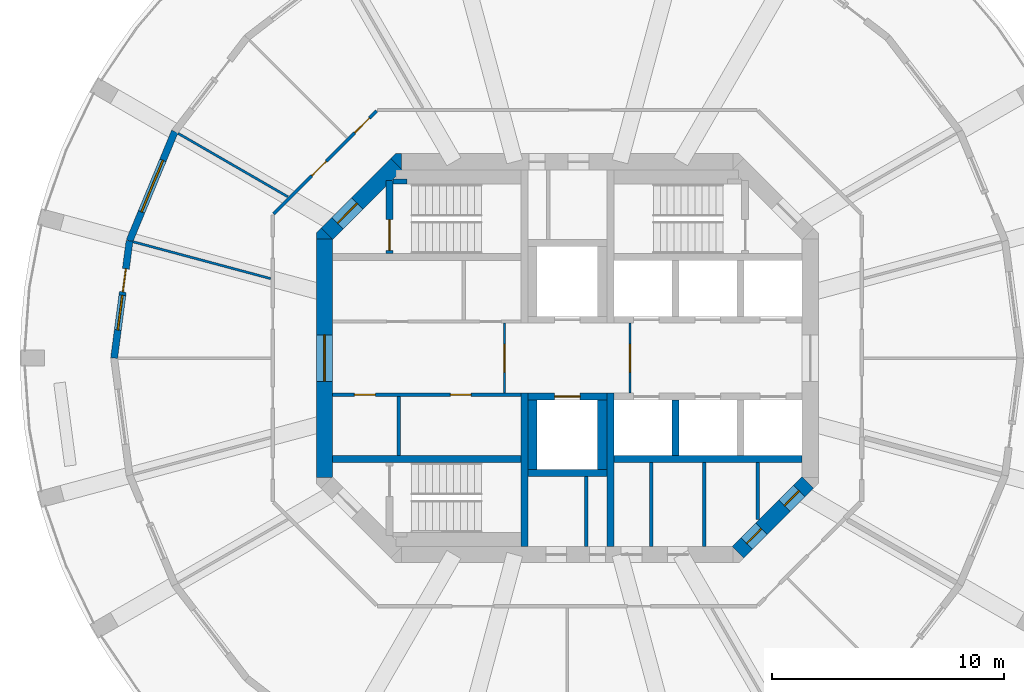
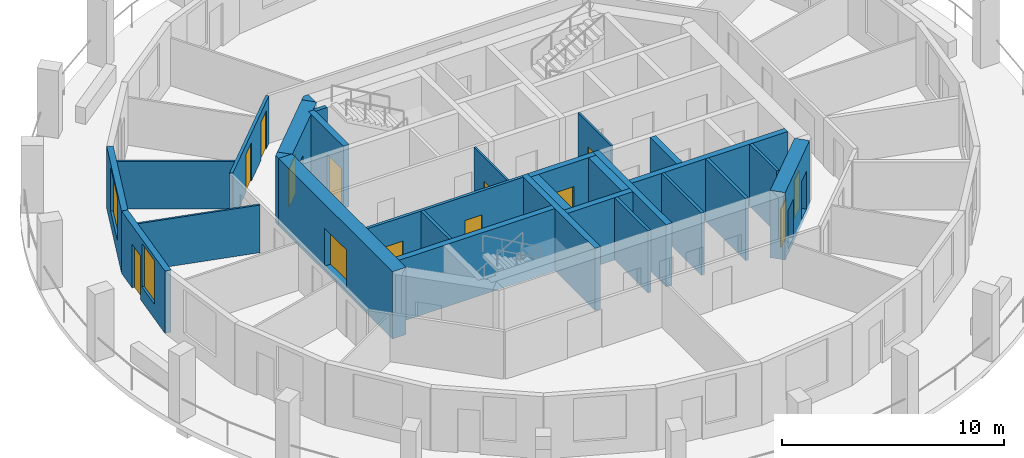
# One storey, part 3 of 8: 29 walls, 13 doors, 2 windows, 15 openings.
"""IFC4 building model written with IfcOpenShell, lengths in metres."""

import ifcopenshell
import ifcopenshell.guid

model = None  # the IFC model being written
_history = None  # IfcOwnerHistory: only IFC2X3 demands one
_inside = {}  # id of a spatial element -> (the spatial element, [elements in it])
_under = {}  # id of a project, library or spatial element -> (it, [spatial elements below it])
_declared = {}  # id of a project -> (the project, [libraries it declares])
_typed = {}  # id of a type object -> (the type object, [elements of that type])
_made_of = {}  # id of a material, layer set ... -> (it, [elements and type objects made of it])


def new_model(schema):
    """Start an empty IFC model of exactly this schema.

    Asked for "IFC4X3", IfcOpenShell would pick the latest addendum, in which some entities
    have other attributes; the version numbers below select the first issue.
    IFC2X3 requires an IfcOwnerHistory on every rooted entity: one is made here for all.
    """
    global model, _history
    if schema == "IFC4X3":
        model = ifcopenshell.file(schema_version=(4, 3, 0, 0))
    else:
        model = ifcopenshell.file(schema=schema)
    _inside.clear()
    _under.clear()
    _declared.clear()
    _typed.clear()
    _made_of.clear()
    _history = None
    if model.schema == "IFC2X3":
        org = make("IfcOrganization", Name="unknown")
        user = make(
            "IfcPersonAndOrganization",
            ThePerson=make("IfcPerson", FamilyName="unknown"),
            TheOrganization=org,
        )
        app = make(
            "IfcApplication",
            ApplicationDeveloper=org,
            Version="unknown",
            ApplicationFullName="unknown",
            ApplicationIdentifier="unknown",
        )
        _history = make(
            "IfcOwnerHistory",
            OwningUser=user,
            OwningApplication=app,
            ChangeAction="ADDED",
            CreationDate=0,
        )
    return model


def make(cls, **values):
    """One entity of the class cls with the attributes given. An attribute that is None is left unset."""
    return model.create_entity(
        cls, **{name: value for name, value in values.items() if value is not None}
    )


def rooted(cls, **values):
    """An entity with a GlobalId (a new one), such as an element, a storey or a relation."""
    return make(cls, GlobalId=ifcopenshell.guid.new(), OwnerHistory=_history, **values)


def si_unit(unit_type, name, prefix=None):
    """IfcSIUnit, for example si_unit("LENGTHUNIT", "METRE", prefix="MILLI")."""
    return make("IfcSIUnit", UnitType=unit_type, Prefix=prefix, Name=name)


def assignment(units):
    """IfcUnitAssignment: the units of a project."""
    return None if units is None else make("IfcUnitAssignment", Units=units)


def point(xyz):
    """IfcCartesianPoint."""
    return None if xyz is None else make("IfcCartesianPoint", Coordinates=xyz)


def direction(xyz):
    """IfcDirection."""
    return None if xyz is None else make("IfcDirection", DirectionRatios=xyz)


def frame(location, z_axis=None, x_axis=None):
    """IfcAxis2Placement3D, a coordinate frame: its origin and axes. An axis left out is left unset."""
    return make(
        "IfcAxis2Placement3D",
        Location=point(location),
        Axis=direction(z_axis),
        RefDirection=direction(x_axis),
    )


def frame_2d(location, x_axis=None):
    """IfcAxis2Placement2D, a coordinate frame in the plane: its origin and x axis."""
    return make(
        "IfcAxis2Placement2D", Location=point(location), RefDirection=direction(x_axis)
    )


def origin():
    """The frame at (0, 0, 0) with its axes left unset."""
    return frame((0.0, 0.0, 0.0))


def place(relative_to, where):
    """IfcLocalPlacement: puts the frame where relative to a parent placement (None: the world)."""
    return make(
        "IfcLocalPlacement", PlacementRelTo=relative_to, RelativePlacement=where
    )


def context(
    kind, dimensions, precision=None, world=None, true_north=None, identifier=None
):
    """IfcGeometricRepresentationContext, for example the 3D "Model" context."""
    return make(
        "IfcGeometricRepresentationContext",
        ContextIdentifier=identifier,
        ContextType=kind,
        CoordinateSpaceDimension=dimensions,
        Precision=precision,
        WorldCoordinateSystem=world,
        TrueNorth=true_north,
    )


def subcontext(parent, identifier, kind, view, scale=None):
    """IfcGeometricRepresentationSubContext, for example "Body" below "Model"."""
    return make(
        "IfcGeometricRepresentationSubContext",
        ContextIdentifier=identifier,
        ContextType=kind,
        ParentContext=parent,
        TargetScale=scale,
        TargetView=view,
    )


def project(units=None, contexts=None):
    """IfcProject with its units and contexts."""
    return rooted(
        "IfcProject",
        Name="project",
        RepresentationContexts=contexts,
        UnitsInContext=assignment(units),
    )


def spatial(cls, under=None, at=None, **own):
    """A site, building, storey or space (cls), placed at a placement, below another one or the project."""
    s = rooted(cls, ObjectPlacement=at, **own)
    if under is not None:
        _under.setdefault(under.id(), (under, []))[1].append(s)
    return s


def polyline(points):
    """IfcPolyline through the points."""
    return make("IfcPolyline", Points=[point(p) for p in points])


def profile(cls, at=None, kind="AREA", **sizes):
    """A parametric profile (cls). Its sizes go by their IFC names, for example OverallWidth=200.0."""
    return make(cls, ProfileType=kind, Position=at, **sizes)


def rectangle(**sizes):
    """IfcRectangleProfileDef."""
    return profile("IfcRectangleProfileDef", **sizes)


def outline(outer, holes=None, kind="AREA"):
    """IfcArbitraryClosedProfileDef: a profile drawn as a closed curve; with holes, ...WithVoids."""
    if holes is None:
        return make("IfcArbitraryClosedProfileDef", ProfileType=kind, OuterCurve=outer)
    return make(
        "IfcArbitraryProfileDefWithVoids",
        ProfileType=kind,
        OuterCurve=outer,
        InnerCurves=holes,
    )


def extrude(swept, where, along, depth):
    """IfcExtrudedAreaSolid: the profile swept, set in the frame where, extruded along a direction by depth."""
    return make(
        "IfcExtrudedAreaSolid",
        SweptArea=swept,
        Position=where,
        ExtrudedDirection=direction(along),
        Depth=depth,
    )


def shape(context_of_items, identifier, shape_type, items):
    """IfcShapeRepresentation: the items that make up one representation, for example the "Body"."""
    return make(
        "IfcShapeRepresentation",
        ContextOfItems=context_of_items,
        RepresentationIdentifier=identifier,
        RepresentationType=shape_type,
        Items=items,
    )


def material(Name=None, Category=None):
    """IfcMaterial."""
    return make("IfcMaterial", Name=Name, Category=Category)


def layer(
    of_material, thickness, ventilated=None, Name=None, Category=None, Priority=None
):
    """IfcMaterialLayer: one layer of a wall or slab, of a material (None: an air gap)."""
    return make(
        "IfcMaterialLayer",
        Material=of_material,
        LayerThickness=thickness,
        IsVentilated=ventilated,
        Name=Name,
        Category=Category,
        Priority=Priority,
    )


def layer_set(layers, Name=None):
    """IfcMaterialLayerSet."""
    return make("IfcMaterialLayerSet", MaterialLayers=layers, LayerSetName=Name)


def made_of(thing, what):
    """Note that an element or type object is made of a material, layer set ...; save() writes the relation."""
    if what is not None:
        _made_of.setdefault(what.id(), (what, []))[1].append(thing)
    return thing


def type_object(cls, material=None, **own):
    """A type object (cls), such as IfcWallType, which elements share."""
    return made_of(rooted(cls, **own), material)


def element(
    cls,
    number,
    at=None,
    inside=None,
    cuts=None,
    type_object=None,
    material=None,
    context=None,
    identifier="Body",
    shape_type=None,
    held_by="IfcProductDefinitionShape",
    body=None,
    shapes=None,
    **own,
):
    """One element of the class cls, such as IfcWall. Its Tag is "e" and its number.

    at: its placement. inside: the storey or other place that contains it. cuts: it is an
    opening in that element (IfcRelVoidsElement). A single representation is given by context,
    identifier, shape_type and body (its items); several are given by shapes. held_by: the class
    of the entity that holds the representations. save() writes the other relations.
    """
    e = rooted(cls, Tag="e%d" % number, ObjectPlacement=at, **own)
    if body is not None:
        shapes = [shape(context, identifier, shape_type, body)]
    if shapes is not None:
        e.Representation = make(held_by, Representations=shapes)
    if inside is not None:
        _inside.setdefault(inside.id(), (inside, []))[1].append(e)
    if cuts is not None:
        rooted(
            "IfcRelVoidsElement", RelatingBuildingElement=cuts, RelatedOpeningElement=e
        )
    if type_object is not None:
        _typed.setdefault(type_object.id(), (type_object, []))[1].append(e)
    return made_of(e, material)


def fill(opening, filler):
    """IfcRelFillsElement: the door or window that sits in an opening."""
    return rooted(
        "IfcRelFillsElement",
        RelatingOpeningElement=opening,
        RelatedBuildingElement=filler,
    )


def aggregate(whole, parts):
    """IfcRelAggregates: a whole, such as a stair, and the parts it consists of."""
    return rooted("IfcRelAggregates", RelatingObject=whole, RelatedObjects=parts)


def save(model, path):
    """Write the relations noted so far, then the file.

    IfcRelAggregates (storeys below a building ...), IfcRelContainedInSpatialStructure (elements
    in a storey), IfcRelDefinesByType, IfcRelAssociatesMaterial and IfcRelDeclares: one each for
    every whole, place, type object, material and project.
    """
    for whole, parts in _under.values():
        aggregate(whole, parts)
    for where, things in _inside.values():
        rooted(
            "IfcRelContainedInSpatialStructure",
            RelatedElements=things,
            RelatingStructure=where,
        )
    for kind, things in _typed.values():
        rooted("IfcRelDefinesByType", RelatedObjects=things, RelatingType=kind)
    for what, things in _made_of.values():
        rooted("IfcRelAssociatesMaterial", RelatedObjects=things, RelatingMaterial=what)
    for by, libraries in _declared.values():
        rooted("IfcRelDeclares", RelatingContext=by, RelatedDefinitions=libraries)
    model.write(path)


model = new_model("IFC4")

# Units and contexts
model_context = context("Model", 3, precision=1e-05, world=origin(), true_north=direction((0.0, 1.0)))
body_context = subcontext(model_context, "Body", "Model", "MODEL_VIEW")
ifc_project = project(units=[si_unit("LENGTHUNIT", "METRE"), si_unit("AREAUNIT", "SQUARE_METRE"), si_unit("VOLUMEUNIT", "CUBIC_METRE"), si_unit("PLANEANGLEUNIT", "RADIAN"), si_unit("MASSUNIT", "GRAM", prefix="KILO")], contexts=[model_context])

# Site, building, storey
site_placement = place(None, origin())
site = spatial("IfcSite", under=ifc_project, at=site_placement, CompositionType="ELEMENT")
building_placement = place(site_placement, origin())
building = spatial("IfcBuilding", under=site, at=building_placement, Name="Torre Triforio", CompositionType="ELEMENT")
storey_placement = place(building_placement, frame((0.0, 0.0, 192.800048828125)))
storey = spatial("IfcBuildingStorey", under=building, at=storey_placement, Name="L43", CompositionType="ELEMENT", Elevation=192.800048828125)

# Walls
ifc_material_1 = material(Name="Concrete C50", Category="concrete")
ifc_layer_1 = layer(ifc_material_1, 0.300048828125)
ifc_layer_set_1 = layer_set([ifc_layer_1], Name="Concrete C50")
wall_type_1 = type_object("IfcWallType", Name="Core wall 300 mm C50 EI 120", PredefinedType="SHEAR", material=ifc_layer_set_1)
for number, where, z_axis, x_axis, name in (
    (1, (-1.85009765625, -8.10009765625, 0.0), (0.0, 0.0, 1.0), (0.0, 1.0, 0.0), "Core wall"),
    (2, (1.85009765625, -8.10009765625, 0.0), (0.0, 0.0, 1.0), (0.0, 1.0, 0.0), "Core wall"),
):
    element("IfcWall", number, at=place(storey_placement, frame(where, z_axis=z_axis, x_axis=x_axis)), inside=storey, type_object=wall_type_1, Name=name, PredefinedType="SHEAR", context=body_context, shape_type="SweptSolid", body=[
        extrude(rectangle(XDim=6.60009765625, YDim=0.300048828125, at=frame_2d((3.300048828125, 0.0))), origin(), (0.0, 0.0, 1.0), 3.419921875),
    ])

# Wall, opening, door
ifc_layer_2 = layer(ifc_material_1, 0.699951171875)
ifc_layer_set_2 = layer_set([ifc_layer_2], Name="Concrete C50")
wall_type_2 = type_object("IfcWallType", Name="Core wall 700 mm C50 EI 120", PredefinedType="SHEAR", material=ifc_layer_set_2)
wall_1_placement = place(storey_placement, frame((-10.449951171875, -5.1298828125, -0.280029296875), z_axis=(0.0, 0.0, 1.0), x_axis=(0.0, 1.0, 0.0)))
wall_1 = element("IfcWall", 3, at=wall_1_placement, inside=storey, type_object=wall_type_2, Name="Core wall", PredefinedType="SHEAR", context=body_context, shape_type="SweptSolid", body=[
    extrude(rectangle(XDim=10.259765625, YDim=0.699951171875, at=frame_2d((5.1298828125, 0.0))), origin(), (0.0, 0.0, 1.0), 3.699951171875),
])
opening_1_placement = place(wall_1_placement, frame((4.1298828125, 0.0, 0.280029296875)))
opening_1 = element("IfcOpeningElement", 4, at=opening_1_placement, cuts=wall_1, Name="Opening W-RING", PredefinedType="OPENING", context=body_context, shape_type="SweptSolid", body=[
    extrude(rectangle(XDim=2.0, YDim=2.10009765625, at=frame_2d((1.0, 1.050048828125))), frame((0.0, 0.35986328125, 0.0), z_axis=(0.0, -1.0, 0.0), x_axis=(1.0, 0.0, 0.0)), (0.0, 0.0, 1.0), 0.719970703125),
])
ifc_material_2 = material(Name="Hollow metal fire door leaf")
door_type_1 = type_object("IfcDoorType", Name="Lobby door 2000 x 2100 EI 60", OperationType="DOUBLE_DOOR_SINGLE_SWING", PredefinedType="DOOR", material=ifc_material_2)
door_1_placement = place(opening_1_placement, origin())
door_1 = element("IfcDoor", 5, at=door_1_placement, inside=storey, type_object=door_type_1, Name="Core door W-RING", OperationType="DOUBLE_DOOR_SINGLE_SWING", OverallHeight=2.10009765625, OverallWidth=2.0, PredefinedType="DOOR", context=body_context, shape_type="SweptSolid", body=[
    extrude(rectangle(XDim=2.0, YDim=2.10009765625, at=frame_2d((1.0, 1.050048828125))), frame((0.0, 0.02490234375, 0.0), z_axis=(0.0, -1.0, 0.0), x_axis=(1.0, 0.0, 0.0)), (0.0, 0.0, 1.0), 0.050048828125),
])
fill(opening_1, door_1)

wall_2_placement = place(storey_placement, frame((-10.347412109375, 5.347412109375, -0.280029296875), z_axis=(0.0, 0.0, 1.0), x_axis=(0.707106781187, 0.707106781187, 0.0)))
wall_2 = element("IfcWall", 6, at=wall_2_placement, inside=storey, type_object=wall_type_2, Name="Core wall", PredefinedType="SHEAR", context=body_context, shape_type="SweptSolid", body=[
    extrude(rectangle(XDim=4.24267578125, YDim=0.699951171875, at=frame_2d((2.121337890625, 0.0))), origin(), (0.0, 0.0, 1.0), 3.699951171875),
])
opening_2_placement = place(wall_2_placement, frame((0.64990234375, 0.0, 0.280029296875)))
opening_2 = element("IfcOpeningElement", 7, at=opening_2_placement, cuts=wall_2, Name="Opening ST1-EXIT", PredefinedType="OPENING", context=body_context, shape_type="SweptSolid", body=[
    extrude(rectangle(XDim=1.199951171875, YDim=2.10009765625, at=frame_2d((0.60009765625, 1.050048828125))), frame((0.0, 0.35986328125, 0.0), z_axis=(0.0, -1.0, 0.0), x_axis=(1.0, 0.0, 0.0)), (0.0, 0.0, 1.0), 0.719970703125),
])
door_type_2 = type_object("IfcDoorType", Name="Stair lobby door 1200 x 2100 EI 60", OperationType="NOTDEFINED", PredefinedType="DOOR", material=ifc_material_2)
door_2_placement = place(opening_2_placement, origin())
door_2 = element("IfcDoor", 8, at=door_2_placement, inside=storey, type_object=door_type_2, Name="Core door ST1-EXIT", OperationType="SINGLE_SWING_RIGHT", OverallHeight=2.10009765625, OverallWidth=1.199951171875, PredefinedType="DOOR", context=body_context, shape_type="SweptSolid", body=[
    extrude(rectangle(XDim=1.199951171875, YDim=2.10009765625, at=frame_2d((0.60009765625, 1.050048828125))), frame((0.0, 0.02490234375, 0.0), z_axis=(0.0, -1.0, 0.0), x_axis=(1.0, 0.0, 0.0)), (0.0, 0.0, 1.0), 0.050048828125),
])
fill(opening_2, door_2)

# Wall, openings, doors
wall_3_placement = place(storey_placement, frame((10.347412109375, -5.347412109375, -0.280029296875), z_axis=(0.0, 0.0, 1.0), x_axis=(-0.707106781187, -0.707106781187, 0.0)))
wall_3 = element("IfcWall", 9, at=wall_3_placement, inside=storey, type_object=wall_type_2, Name="Core wall", PredefinedType="SHEAR", context=body_context, shape_type="SweptSolid", body=[
    extrude(rectangle(XDim=4.24267578125, YDim=0.699951171875, at=frame_2d((2.121337890625, 0.0))), origin(), (0.0, 0.0, 1.0), 3.699951171875),
])
opening_3_placement = place(wall_3_placement, frame((2.82275390625, 0.0, 0.280029296875)))
opening_3 = element("IfcOpeningElement", 10, at=opening_3_placement, cuts=wall_3, Name="Opening SE-03", PredefinedType="OPENING", context=body_context, shape_type="SweptSolid", body=[
    extrude(rectangle(XDim=0.89990234375, YDim=2.10009765625, at=frame_2d((0.449951171875, 1.050048828125))), frame((0.0, 0.35986328125, 0.0), z_axis=(0.0, -1.0, 0.0), x_axis=(1.0, 0.0, 0.0)), (0.0, 0.0, 1.0), 0.719970703125),
])
opening_4_placement = place(wall_3_placement, frame((0.52001953125, 0.0, 0.280029296875)))
opening_4 = element("IfcOpeningElement", 11, at=opening_4_placement, cuts=wall_3, Name="Opening SE-04", PredefinedType="OPENING", context=body_context, shape_type="SweptSolid", body=[
    extrude(rectangle(XDim=0.89990234375, YDim=2.10009765625, at=frame_2d((0.449951171875, 1.050048828125))), frame((0.0, 0.35986328125, 0.0), z_axis=(0.0, -1.0, 0.0), x_axis=(1.0, 0.0, 0.0)), (0.0, 0.0, 1.0), 0.719970703125),
])
door_type_3 = type_object("IfcDoorType", Name="Room door 900 x 2100 EI 60", OperationType="NOTDEFINED", PredefinedType="DOOR", material=ifc_material_2)
door_3_placement = place(opening_3_placement, origin())
door_3 = element("IfcDoor", 12, at=door_3_placement, inside=storey, type_object=door_type_3, Name="Core door SE-03", OperationType="SINGLE_SWING_RIGHT", OverallHeight=2.10009765625, OverallWidth=0.89990234375, PredefinedType="DOOR", context=body_context, shape_type="SweptSolid", body=[
    extrude(rectangle(XDim=0.89990234375, YDim=2.10009765625, at=frame_2d((0.449951171875, 1.050048828125))), frame((0.0, 0.02490234375, 0.0), z_axis=(0.0, -1.0, 0.0), x_axis=(1.0, 0.0, 0.0)), (0.0, 0.0, 1.0), 0.050048828125),
])
fill(opening_3, door_3)
door_4_placement = place(opening_4_placement, origin())
door_4 = element("IfcDoor", 13, at=door_4_placement, inside=storey, type_object=door_type_3, Name="Core door SE-04", OperationType="SINGLE_SWING_LEFT", OverallHeight=2.10009765625, OverallWidth=0.89990234375, PredefinedType="DOOR", context=body_context, shape_type="SweptSolid", body=[
    extrude(rectangle(XDim=0.89990234375, YDim=2.10009765625, at=frame_2d((0.449951171875, 1.050048828125))), frame((0.0, 0.02490234375, 0.0), z_axis=(0.0, -1.0, 0.0), x_axis=(1.0, 0.0, 0.0)), (0.0, 0.0, 1.0), 0.050048828125),
])
fill(opening_4, door_4)

# Walls
wall_4_placement = place(storey_placement, frame((0.0, 0.0, -0.280029296875)))
element("IfcWall", 14, at=wall_4_placement, inside=storey, type_object=wall_type_2, Name="Core wall", PredefinedType="SHEAR", context=body_context, shape_type="SweptSolid", body=[
    extrude(outline(polyline([(-10.594970703125, 5.594970703125), (-10.594970703125, 5.594970703125), (-10.594970703125, 5.594970703125), (-10.1298828125, 5.1298828125), (-10.800048828125, 5.1298828125), (-10.800048828125, 5.1298828125), (-10.800048828125, 5.389892578125), (-10.594970703125, 5.594970703125)])), origin(), (0.0, 0.0, 1.0), 3.699951171875),
])
wall_5_placement = place(storey_placement, frame((0.0, 0.0, -0.280029296875)))
element("IfcWall", 15, at=wall_5_placement, inside=storey, type_object=wall_type_2, Name="Core wall", PredefinedType="SHEAR", context=body_context, shape_type="SweptSolid", body=[
    extrude(outline(polyline([(-7.389892578125, 8.800048828125), (-7.1298828125, 8.800048828125), (-7.1298828125, 8.800048828125), (-7.1298828125, 8.1298828125), (-7.594970703125, 8.594970703125), (-7.594970703125, 8.594970703125), (-7.594970703125, 8.594970703125), (-7.389892578125, 8.800048828125)])), origin(), (0.0, 0.0, 1.0), 3.699951171875),
])

# Wall, openings, doors
ifc_material_3 = material(Name="Plasterboard on metal studs")
ifc_layer_3 = layer(ifc_material_3, 0.14990234375)
ifc_layer_set_3 = layer_set([ifc_layer_3], Name="Plasterboard on metal studs")
wall_type_3 = type_object("IfcWallType", Name="Corridor and tenancy wall 150 mm EI 60", PredefinedType="PARTITIONING", material=ifc_layer_set_3)
wall_6_placement = place(storey_placement, frame((-12.637939453125, 6.20361328125, 0.0), z_axis=(0.0, 0.0, 1.0), x_axis=(0.707106781187, 0.707106781187, 0.0)))
wall_6 = element("IfcWall", 16, at=wall_6_placement, inside=storey, type_object=wall_type_3, Name="Partition 6", PredefinedType="PARTITIONING", context=body_context, shape_type="SweptSolid", body=[
    extrude(rectangle(XDim=6.27099609375, YDim=0.14990234375, at=frame_2d((3.135498046875, 0.0))), origin(), (0.0, 0.0, 1.0), 2.619873046875),
])
opening_5_placement = place(wall_6_placement, frame((4.935302734375, 0.0, 0.0)))
opening_5 = element("IfcOpeningElement", 17, at=opening_5_placement, cuts=wall_6, Name="Opening O4-02", PredefinedType="OPENING", context=body_context, shape_type="SweptSolid", body=[
    extrude(rectangle(XDim=0.89990234375, YDim=2.10009765625, at=frame_2d((0.449951171875, 1.050048828125))), frame((0.0, 0.0849609375, 0.0), z_axis=(0.0, -1.0, 0.0), x_axis=(1.0, 0.0, 0.0)), (0.0, 0.0, 1.0), 0.169921875),
])
opening_6_placement = place(wall_6_placement, frame((2.313720703125, 0.0, 0.0)))
opening_6 = element("IfcOpeningElement", 18, at=opening_6_placement, cuts=wall_6, Name="Opening O4-03", PredefinedType="OPENING", context=body_context, shape_type="SweptSolid", body=[
    extrude(rectangle(XDim=0.89990234375, YDim=2.10009765625, at=frame_2d((0.449951171875, 1.050048828125))), frame((0.0, 0.0849609375, 0.0), z_axis=(0.0, -1.0, 0.0), x_axis=(1.0, 0.0, 0.0)), (0.0, 0.0, 1.0), 0.169921875),
])
ifc_material_4 = material(Name="Timber", Category="wood")
door_type_4 = type_object("IfcDoorType", Name="Door 900 x 2100 single leaf EI 30", OperationType="NOTDEFINED", PredefinedType="DOOR", material=ifc_material_4)
door_5_placement = place(opening_5_placement, origin())
door_5 = element("IfcDoor", 19, at=door_5_placement, inside=storey, type_object=door_type_4, Name="Door O4-02", OperationType="SINGLE_SWING_LEFT", OverallHeight=2.10009765625, OverallWidth=0.89990234375, PredefinedType="DOOR", context=body_context, shape_type="SweptSolid", body=[
    extrude(rectangle(XDim=0.89990234375, YDim=2.10009765625, at=frame_2d((0.449951171875, 1.050048828125))), frame((0.0, 0.02490234375, 0.0), z_axis=(0.0, -1.0, 0.0), x_axis=(1.0, 0.0, 0.0)), (0.0, 0.0, 1.0), 0.050048828125),
])
fill(opening_5, door_5)
door_6_placement = place(opening_6_placement, origin())
door_6 = element("IfcDoor", 20, at=door_6_placement, inside=storey, type_object=door_type_4, Name="Door O4-03", OperationType="SINGLE_SWING_LEFT", OverallHeight=2.10009765625, OverallWidth=0.89990234375, PredefinedType="DOOR", context=body_context, shape_type="SweptSolid", body=[
    extrude(rectangle(XDim=0.89990234375, YDim=2.10009765625, at=frame_2d((0.449951171875, 1.050048828125))), frame((0.0, 0.02490234375, 0.0), z_axis=(0.0, -1.0, 0.0), x_axis=(1.0, 0.0, 0.0)), (0.0, 0.0, 1.0), 0.050048828125),
])
fill(opening_6, door_6)

# Wall, opening, door
ifc_material_5 = material(Name="Block and board partition")
ifc_layer_4 = layer(ifc_material_5, 0.10009765625)
ifc_layer_set_4 = layer_set([ifc_layer_4], Name="Block and board partition")
wall_type_4 = type_object("IfcWallType", Name="Partition 100 mm EI 120", PredefinedType="PARTITIONING", material=ifc_layer_set_4)
wall_7_placement = place(storey_placement, frame((-2.699951171875, -1.5, 0.0), z_axis=(0.0, 0.0, 1.0), x_axis=(0.0, 1.0, 0.0)))
wall_7 = element("IfcWall", 21, at=wall_7_placement, inside=storey, type_object=wall_type_4, Name="Partition", PredefinedType="PARTITIONING", context=body_context, shape_type="SweptSolid", body=[
    extrude(rectangle(XDim=3.0, YDim=0.10009765625, at=frame_2d((1.5, 0.0))), origin(), (0.0, 0.0, 1.0), 3.419921875),
])
opening_7_placement = place(wall_7_placement, frame((0.89990234375, 0.0, 0.0)))
opening_7 = element("IfcOpeningElement", 22, at=opening_7_placement, cuts=wall_7, Name="Opening FF-W", PredefinedType="OPENING", context=body_context, shape_type="SweptSolid", body=[
    extrude(rectangle(XDim=1.199951171875, YDim=2.10009765625, at=frame_2d((0.60009765625, 1.050048828125))), frame((0.0, 0.06005859375, 0.0), z_axis=(0.0, -1.0, 0.0), x_axis=(1.0, 0.0, 0.0)), (0.0, 0.0, 1.0), 0.1201171875),
])
door_type_5 = type_object("IfcDoorType", Name="Fire-fighting lobby door 1200 x 2100 EI 60", OperationType="NOTDEFINED", PredefinedType="DOOR", material=ifc_material_2)
door_7_placement = place(opening_7_placement, origin())
door_7 = element("IfcDoor", 23, at=door_7_placement, inside=storey, type_object=door_type_5, Name="Core door FF-W", OperationType="SINGLE_SWING_RIGHT", OverallHeight=2.10009765625, OverallWidth=1.199951171875, PredefinedType="DOOR", context=body_context, shape_type="SweptSolid", body=[
    extrude(rectangle(XDim=1.199951171875, YDim=2.10009765625, at=frame_2d((0.60009765625, 1.050048828125))), frame((0.0, 0.02490234375, 0.0), z_axis=(0.0, -1.0, 0.0), x_axis=(1.0, 0.0, 0.0)), (0.0, 0.0, 1.0), 0.050048828125),
])
fill(opening_7, door_7)

wall_8_placement = place(storey_placement, frame((2.699951171875, -1.5, 0.0), z_axis=(0.0, 0.0, 1.0), x_axis=(0.0, 1.0, 0.0)))
wall_8 = element("IfcWall", 24, at=wall_8_placement, inside=storey, type_object=wall_type_4, Name="Partition", PredefinedType="PARTITIONING", context=body_context, shape_type="SweptSolid", body=[
    extrude(rectangle(XDim=3.0, YDim=0.10009765625, at=frame_2d((1.5, 0.0))), origin(), (0.0, 0.0, 1.0), 3.419921875),
])
opening_8_placement = place(wall_8_placement, frame((0.89990234375, 0.0, 0.0)))
opening_8 = element("IfcOpeningElement", 25, at=opening_8_placement, cuts=wall_8, Name="Opening FF-E", PredefinedType="OPENING", context=body_context, shape_type="SweptSolid", body=[
    extrude(rectangle(XDim=1.199951171875, YDim=2.10009765625, at=frame_2d((0.60009765625, 1.050048828125))), frame((0.0, 0.06005859375, 0.0), z_axis=(0.0, -1.0, 0.0), x_axis=(1.0, 0.0, 0.0)), (0.0, 0.0, 1.0), 0.1201171875),
])
door_8_placement = place(opening_8_placement, origin())
door_8 = element("IfcDoor", 26, at=door_8_placement, inside=storey, type_object=door_type_5, Name="Core door FF-E", OperationType="SINGLE_SWING_RIGHT", OverallHeight=2.10009765625, OverallWidth=1.199951171875, PredefinedType="DOOR", context=body_context, shape_type="SweptSolid", body=[
    extrude(rectangle(XDim=1.199951171875, YDim=2.10009765625, at=frame_2d((0.60009765625, 1.050048828125))), frame((0.0, 0.02490234375, 0.0), z_axis=(0.0, -1.0, 0.0), x_axis=(1.0, 0.0, 0.0)), (0.0, 0.0, 1.0), 0.050048828125),
])
fill(opening_8, door_8)

# Walls
ifc_layer_5 = layer(ifc_material_3, 0.10009765625)
ifc_layer_set_5 = layer_set([ifc_layer_5], Name="Plasterboard on metal studs")
wall_type_5 = type_object("IfcWallType", Name="Partition 100 mm board on metal studs", PredefinedType="PARTITIONING", material=ifc_layer_set_5)
wall_9_placement = place(storey_placement, frame((-12.025146484375, 6.94287109375, 0.0), z_axis=(0.0, 0.0, 1.0), x_axis=(-0.866029712004, 0.499992537871, 0.0)))
element("IfcWall", 27, at=wall_9_placement, inside=storey, type_object=wall_type_5, Name="Partition 16", PredefinedType="PARTITIONING", context=body_context, shape_type="SweptSolid", body=[
    extrude(rectangle(XDim=5.451171875, YDim=0.10009765625, at=frame_2d((2.7255859375, 0.0))), origin(), (0.0, 0.0, 1.0), 2.619873046875),
])
wall_10_placement = place(storey_placement, frame((-12.764404296875, 3.420166015625, 0.0), z_axis=(0.0, 0.0, 1.0), x_axis=(-0.965925800266, 0.258819142221, 0.0)))
element("IfcWall", 28, at=wall_10_placement, inside=storey, type_object=wall_type_5, Name="Partition 17", PredefinedType="PARTITIONING", context=body_context, shape_type="SweptSolid", body=[
    extrude(rectangle(XDim=6.121826171875, YDim=0.10009765625, at=frame_2d((3.06103515625, 0.0))), origin(), (0.0, 0.0, 1.0), 2.619873046875),
])
ifc_layer_6 = layer(ifc_material_5, 0.14990234375)
ifc_layer_set_6 = layer_set([ifc_layer_6], Name="Block and board partition")
wall_type_6 = type_object("IfcWallType", Name="Partition 150 mm", PredefinedType="PARTITIONING", material=ifc_layer_set_6)
for number, where, z_axis, x_axis, name in (
    (29, (3.60498046875, -8.10009765625, 0.0), (0.0, 0.0, 1.0), (0.0, 1.0, 0.0), "Partition"),
    (30, (5.89697265625, -8.10009765625, 0.0), (0.0, 0.0, 1.0), (0.0, 1.0, 0.0), "Partition"),
):
    element("IfcWall", number, at=place(storey_placement, frame(where, z_axis=z_axis, x_axis=x_axis)), inside=storey, type_object=wall_type_6, Name=name, PredefinedType="PARTITIONING", context=body_context, shape_type="SweptSolid", body=[
        extrude(rectangle(XDim=3.60009765625, YDim=0.14990234375, at=frame_2d((1.800048828125, 0.0))), origin(), (0.0, 0.0, 1.0), 3.419921875),
    ])
wall_11_placement = place(storey_placement, frame((8.18896484375, -6.93603515625, 0.0), z_axis=(0.0, 0.0, 1.0), x_axis=(0.0, 1.0, 0.0)))
element("IfcWall", 31, at=wall_11_placement, inside=storey, type_object=wall_type_6, Name="Partition", PredefinedType="PARTITIONING", context=body_context, shape_type="SweptSolid", body=[
    extrude(rectangle(XDim=2.43603515625, YDim=0.14990234375, at=frame_2d((1.218017578125, 0.0))), origin(), (0.0, 0.0, 1.0), 3.419921875),
])
wall_12_placement = place(storey_placement, frame((-7.242431640625, -4.199951171875, 0.0), z_axis=(0.0, 0.0, 1.0), x_axis=(0.0, 1.0, 0.0)))
element("IfcWall", 32, at=wall_12_placement, inside=storey, type_object=wall_type_6, Name="Partition", PredefinedType="PARTITIONING", context=body_context, shape_type="SweptSolid", body=[
    extrude(rectangle(XDim=2.550048828125, YDim=0.14990234375, at=frame_2d((1.27490234375, 0.0))), origin(), (0.0, 0.0, 1.0), 3.419921875),
])
ifc_layer_7 = layer(ifc_material_5, 0.14990234375)
ifc_layer_set_7 = layer_set([ifc_layer_7], Name="Block and board partition")
wall_type_7 = type_object("IfcWallType", Name="Partition 150 mm EI 120", PredefinedType="PARTITIONING", material=ifc_layer_set_7)
wall_13_placement = place(storey_placement, frame((0.824951171875, -8.10009765625, 0.0), z_axis=(0.0, 0.0, 1.0), x_axis=(0.0, 1.0, 0.0)))
element("IfcWall", 33, at=wall_13_placement, inside=storey, type_object=wall_type_7, Name="Partition", PredefinedType="PARTITIONING", context=body_context, shape_type="SweptSolid", body=[
    extrude(rectangle(XDim=3.0, YDim=0.14990234375, at=frame_2d((1.5, 0.0))), origin(), (0.0, 0.0, 1.0), 3.419921875),
])

# Wall, openings, doors
wall_14_placement = place(storey_placement, frame((-10.10009765625, -1.574951171875, 0.0), z_axis=(0.0, 0.0, 1.0), x_axis=(1.0, 0.0, 0.0)))
wall_14 = element("IfcWall", 34, at=wall_14_placement, inside=storey, type_object=wall_type_7, Name="Partition", PredefinedType="PARTITIONING", context=body_context, shape_type="SweptSolid", body=[
    extrude(rectangle(XDim=8.10009765625, YDim=0.14990234375, at=frame_2d((4.050048828125, 0.0))), origin(), (0.0, 0.0, 1.0), 3.419921875),
])
opening_9_placement = place(wall_14_placement, frame((0.941162109375, 0.0, 0.0)))
opening_9 = element("IfcOpeningElement", 35, at=opening_9_placement, cuts=wall_14, Name="Opening FS-01", PredefinedType="OPENING", context=body_context, shape_type="SweptSolid", body=[
    extrude(rectangle(XDim=0.89990234375, YDim=2.10009765625, at=frame_2d((0.449951171875, 1.050048828125))), frame((0.0, 0.0849609375, 0.0), z_axis=(0.0, -1.0, 0.0), x_axis=(1.0, 0.0, 0.0)), (0.0, 0.0, 1.0), 0.169921875),
])
opening_10_placement = place(wall_14_placement, frame((5.066162109375, 0.0, 0.0)))
opening_10 = element("IfcOpeningElement", 36, at=opening_10_placement, cuts=wall_14, Name="Opening FS-02", PredefinedType="OPENING", context=body_context, shape_type="SweptSolid", body=[
    extrude(rectangle(XDim=0.89990234375, YDim=2.10009765625, at=frame_2d((0.449951171875, 1.050048828125))), frame((0.0, 0.0849609375, 0.0), z_axis=(0.0, -1.0, 0.0), x_axis=(1.0, 0.0, 0.0)), (0.0, 0.0, 1.0), 0.169921875),
])
door_9_placement = place(opening_9_placement, origin())
door_9 = element("IfcDoor", 37, at=door_9_placement, inside=storey, type_object=door_type_3, Name="Core door FS-01", OperationType="SINGLE_SWING_LEFT", OverallHeight=2.10009765625, OverallWidth=0.89990234375, PredefinedType="DOOR", context=body_context, shape_type="SweptSolid", body=[
    extrude(rectangle(XDim=0.89990234375, YDim=2.10009765625, at=frame_2d((0.449951171875, 1.050048828125))), frame((0.0, 0.02490234375, 0.0), z_axis=(0.0, -1.0, 0.0), x_axis=(1.0, 0.0, 0.0)), (0.0, 0.0, 1.0), 0.050048828125),
])
fill(opening_9, door_9)
door_10_placement = place(opening_10_placement, origin())
door_10 = element("IfcDoor", 38, at=door_10_placement, inside=storey, type_object=door_type_3, Name="Core door FS-02", OperationType="SINGLE_SWING_LEFT", OverallHeight=2.10009765625, OverallWidth=0.89990234375, PredefinedType="DOOR", context=body_context, shape_type="SweptSolid", body=[
    extrude(rectangle(XDim=0.89990234375, YDim=2.10009765625, at=frame_2d((0.449951171875, 1.050048828125))), frame((0.0, 0.02490234375, 0.0), z_axis=(0.0, -1.0, 0.0), x_axis=(1.0, 0.0, 0.0)), (0.0, 0.0, 1.0), 0.050048828125),
])
fill(opening_10, door_10)

# Walls
ifc_layer_8 = layer(ifc_material_1, 0.300048828125)
ifc_layer_set_8 = layer_set([ifc_layer_8], Name="Concrete C50")
wall_type_8 = type_object("IfcWallType", Name="Shaft wall 300 mm C50 EI 120", PredefinedType="SOLIDWALL", material=ifc_layer_set_8)
for number, where, z_axis, x_axis, name in (
    (39, (-10.10009765625, -4.35009765625, 0.0), (0.0, 0.0, 1.0), (1.0, 0.0, 0.0), "Shaft wall"),
    (40, (2.0, -4.35009765625, 0.0), (0.0, 0.0, 1.0), (1.0, 0.0, 0.0), "Shaft wall"),
):
    element("IfcWall", number, at=place(storey_placement, frame(where, z_axis=z_axis, x_axis=x_axis)), inside=storey, type_object=wall_type_8, Name=name, PredefinedType="SOLIDWALL", context=body_context, shape_type="SweptSolid", body=[
        extrude(rectangle(XDim=8.10009765625, YDim=0.300048828125, at=frame_2d((4.050048828125, 0.0))), origin(), (0.0, 0.0, 1.0), 3.419921875),
    ])
wall_15_placement = place(storey_placement, frame((4.64990234375, -4.199951171875, 0.0), z_axis=(0.0, 0.0, 1.0), x_axis=(0.0, 1.0, 0.0)))
element("IfcWall", 41, at=wall_15_placement, inside=storey, type_object=wall_type_8, Name="Shaft wall", PredefinedType="SOLIDWALL", context=body_context, shape_type="SweptSolid", body=[
    extrude(rectangle(XDim=2.39990234375, YDim=0.300048828125, at=frame_2d((1.199951171875, 0.0))), origin(), (0.0, 0.0, 1.0), 3.419921875),
])

# Wall, opening, door
wall_16_placement = place(storey_placement, frame((-1.699951171875, -1.64990234375, 0.0), z_axis=(0.0, 0.0, 1.0), x_axis=(1.0, 0.0, 0.0)))
wall_16 = element("IfcWall", 42, at=wall_16_placement, inside=storey, type_object=wall_type_8, Name="Shaft wall", PredefinedType="SOLIDWALL", context=body_context, shape_type="SweptSolid", body=[
    extrude(rectangle(XDim=3.39990234375, YDim=0.300048828125, at=frame_2d((1.699951171875, 0.0))), origin(), (0.0, 0.0, 1.0), 3.419921875),
])
opening_11_placement = place(wall_16_placement, frame((1.14990234375, 0.0, 0.0)))
opening_11 = element("IfcOpeningElement", 43, at=opening_11_placement, cuts=wall_16, Name="Opening LD", PredefinedType="OPENING", context=body_context, shape_type="SweptSolid", body=[
    extrude(rectangle(XDim=1.10009765625, YDim=2.10009765625, at=frame_2d((0.550048828125, 1.050048828125))), frame((0.0, 0.159912109375, 0.0), z_axis=(0.0, -1.0, 0.0), x_axis=(1.0, 0.0, 0.0)), (0.0, 0.0, 1.0), 0.320068359375),
])
door_type_6 = type_object("IfcDoorType", Name="Landing door 1100 x 2100 EI 60", OperationType="DOUBLE_DOOR_SLIDING", PredefinedType="DOOR", material=ifc_material_2)
door_11_placement = place(opening_11_placement, origin())
door_11 = element("IfcDoor", 44, at=door_11_placement, inside=storey, type_object=door_type_6, Name="Landing door FFL2", OperationType="DOUBLE_DOOR_SLIDING", OverallHeight=2.10009765625, OverallWidth=1.10009765625, PredefinedType="DOOR", context=body_context, shape_type="SweptSolid", body=[
    extrude(rectangle(XDim=1.10009765625, YDim=2.10009765625, at=frame_2d((0.550048828125, 1.050048828125))), frame((0.0, 0.02490234375, 0.0), z_axis=(0.0, -1.0, 0.0), x_axis=(1.0, 0.0, 0.0)), (0.0, 0.0, 1.0), 0.050048828125),
])
fill(opening_11, door_11)

# Walls
wall_17_placement = place(storey_placement, frame((-1.699951171875, -4.949951171875, 0.0), z_axis=(0.0, 0.0, 1.0), x_axis=(1.0, 0.0, 0.0)))
element("IfcWall", 45, at=wall_17_placement, inside=storey, type_object=wall_type_8, Name="Shaft wall", PredefinedType="SOLIDWALL", context=body_context, shape_type="SweptSolid", body=[
    extrude(rectangle(XDim=3.39990234375, YDim=0.300048828125, at=frame_2d((1.699951171875, 0.0))), origin(), (0.0, 0.0, 1.0), 3.419921875),
])
ifc_layer_9 = layer(ifc_material_1, 0.39990234375)
ifc_layer_set_9 = layer_set([ifc_layer_9], Name="Concrete C50")
wall_type_9 = type_object("IfcWallType", Name="Shaft wall 400 mm C50 EI 120", PredefinedType="SOLIDWALL", material=ifc_layer_set_9)
for number, where, z_axis, x_axis, name in (
    (46, (-1.5, -4.800048828125, 0.0), (0.0, 0.0, 1.0), (0.0, 1.0, 0.0), "Shaft wall"),
    (47, (1.5, -4.800048828125, 0.0), (0.0, 0.0, 1.0), (0.0, 1.0, 0.0), "Shaft wall"),
):
    element("IfcWall", number, at=place(storey_placement, frame(where, z_axis=z_axis, x_axis=x_axis)), inside=storey, type_object=wall_type_9, Name=name, PredefinedType="SOLIDWALL", context=body_context, shape_type="SweptSolid", body=[
        extrude(rectangle(XDim=3.0, YDim=0.39990234375, at=frame_2d((1.5, 0.0))), origin(), (0.0, 0.0, 1.0), 3.419921875),
    ])
ifc_layer_10 = layer(ifc_material_1, 0.199951171875)
ifc_layer_set_10 = layer_set([ifc_layer_10], Name="Concrete C50")
wall_type_10 = type_object("IfcWallType", Name="Stair wall 200 mm C50 EI 120", PredefinedType="SHEAR", material=ifc_layer_set_10)
wall_18_placement = place(storey_placement, frame((-7.5, 7.60009765625, 0.0), z_axis=(0.0, 0.0, 1.0), x_axis=(1.0, 0.0, 0.0)))
element("IfcWall", 48, at=wall_18_placement, inside=storey, type_object=wall_type_10, Name="Stair wall", PredefinedType="SHEAR", context=body_context, shape_type="SweptSolid", body=[
    extrude(rectangle(XDim=0.60009765625, YDim=0.199951171875, at=frame_2d((0.300048828125, 0.0))), origin(), (0.0, 0.0, 1.0), 3.419921875),
])

# Wall, opening, door
ifc_layer_11 = layer(ifc_material_1, 0.300048828125)
ifc_layer_set_11 = layer_set([ifc_layer_11], Name="Concrete C50")
wall_type_11 = type_object("IfcWallType", Name="Stair wall 300 mm C50 EI 120", PredefinedType="SHEAR", material=ifc_layer_set_11)
wall_19_placement = place(storey_placement, frame((-7.64990234375, 4.5, 0.0), z_axis=(0.0, 0.0, 1.0), x_axis=(0.0, 1.0, 0.0)))
wall_19 = element("IfcWall", 49, at=wall_19_placement, inside=storey, type_object=wall_type_11, Name="Stair wall", PredefinedType="SHEAR", context=body_context, shape_type="SweptSolid", body=[
    extrude(rectangle(XDim=3.139892578125, YDim=0.300048828125, at=frame_2d((1.56982421875, 0.0))), origin(), (0.0, 0.0, 1.0), 3.419921875),
])
opening_12_placement = place(wall_19_placement, frame((0.139892578125, 0.0, 0.0)))
opening_12 = element("IfcOpeningElement", 50, at=opening_12_placement, cuts=wall_19, Name="Opening ST1-STA", PredefinedType="OPENING", context=body_context, shape_type="SweptSolid", body=[
    extrude(rectangle(XDim=1.320068359375, YDim=2.10009765625, at=frame_2d((0.66015625, 1.050048828125))), frame((0.0, 0.159912109375, 0.0), z_axis=(0.0, -1.0, 0.0), x_axis=(1.0, 0.0, 0.0)), (0.0, 0.0, 1.0), 0.320068359375),
])
door_type_7 = type_object("IfcDoorType", Name="Stair door 1320 x 2100 EI 90", OperationType="DOUBLE_DOOR_SINGLE_SWING", PredefinedType="DOOR", material=ifc_material_2)
door_12_placement = place(opening_12_placement, origin())
door_12 = element("IfcDoor", 51, at=door_12_placement, inside=storey, type_object=door_type_7, Name="Core door ST1-ST", OperationType="DOUBLE_DOOR_SINGLE_SWING", OverallHeight=2.10009765625, OverallWidth=1.320068359375, PredefinedType="DOOR", context=body_context, shape_type="SweptSolid", body=[
    extrude(rectangle(XDim=1.320068359375, YDim=2.10009765625, at=frame_2d((0.66015625, 1.050048828125))), frame((0.0, 0.02490234375, 0.0), z_axis=(0.0, -1.0, 0.0), x_axis=(1.0, 0.0, 0.0)), (0.0, 0.0, 1.0), 0.050048828125),
])
fill(opening_12, door_12)

# Wall, opening, window
ifc_material_6 = material(Name="Limestone cladding", Category="masonry")
ifc_layer_12 = layer(ifc_material_6, 0.10009765625)
ifc_material_7 = material(Name="Concrete C40", Category="concrete")
ifc_layer_13 = layer(ifc_material_7, 0.199951171875)
ifc_layer_set_12 = layer_set([ifc_layer_12, ifc_layer_13], Name="Limestone cladding / Concrete C40")
wall_type_12 = type_object("IfcWallType", Name="Stone-faced composite wall 300", PredefinedType="STANDARD", material=ifc_layer_set_12)
wall_20_placement = place(storey_placement, frame((-16.887451171875, 9.75, 0.0), z_axis=(0.0, 0.0, 1.0), x_axis=(-0.382724538613, -0.923862504675, 0.0)))
wall_20 = element("IfcWall", 52, at=wall_20_placement, inside=storey, type_object=wall_type_12, Name="External wall L43 bay 11", PredefinedType="STANDARD", context=body_context, shape_type="SweptSolid", body=[
    extrude(rectangle(XDim=5.090576171875, YDim=0.300048828125, at=frame_2d((2.54541015625, 0.0))), origin(), (0.0, 0.0, 1.0), 3.419921875),
])
opening_13_placement = place(wall_20_placement, frame((1.34521484375, 0.0, 0.800048828125)))
opening_13 = element("IfcOpeningElement", 53, at=opening_13_placement, cuts=wall_20, Name="Opening O4-W11", PredefinedType="OPENING", context=body_context, shape_type="SweptSolid", body=[
    extrude(rectangle(XDim=2.39990234375, YDim=2.39990234375, at=frame_2d((1.199951171875, 1.199951171875))), frame((0.0, 0.159912109375, 0.0), z_axis=(0.0, -1.0, 0.0), x_axis=(1.0, 0.0, 0.0)), (0.0, 0.0, 1.0), 0.320068359375),
])
ifc_material_8 = material(Name="Aluminium frame with clear double glazing", Category="aluminium")
window_type_1 = type_object("IfcWindowType", Name="Punched window 2400 x 2400", PartitioningType="DOUBLE_PANEL_VERTICAL", PredefinedType="WINDOW", material=ifc_material_8)
window_1_placement = place(opening_13_placement, origin())
window_1 = element("IfcWindow", 54, at=window_1_placement, inside=storey, type_object=window_type_1, Name="Window EWN4 L43 bay 11", OverallHeight=2.39990234375, OverallWidth=2.39990234375, PartitioningType="SINGLE_PANEL", PredefinedType="WINDOW", context=body_context, shape_type="SweptSolid", body=[
    extrude(rectangle(XDim=2.39990234375, YDim=2.39990234375, at=frame_2d((1.199951171875, 1.199951171875))), frame((0.0, 0.030029296875, 0.0), z_axis=(0.0, -1.0, 0.0), x_axis=(1.0, 0.0, 0.0)), (0.0, 0.0, 1.0), 0.06005859375),
])
fill(opening_13, window_1)

# Wall, openings, door, window
wall_21_placement = place(storey_placement, frame((-18.835693359375, 5.047119140625, 0.0), z_axis=(0.0, 0.0, 1.0), x_axis=(-0.130495451964, -0.99144890792, 0.0)))
wall_21 = element("IfcWall", 55, at=wall_21_placement, inside=storey, type_object=wall_type_12, Name="External wall L43 bay 12", PredefinedType="STANDARD", context=body_context, shape_type="SweptSolid", body=[
    extrude(rectangle(XDim=5.090576171875, YDim=0.300048828125, at=frame_2d((2.54541015625, 0.0))), origin(), (0.0, 0.0, 1.0), 3.419921875),
])
opening_14_placement = place(wall_21_placement, frame((1.22021484375, 0.0, 0.0)))
opening_14 = element("IfcOpeningElement", 56, at=opening_14_placement, cuts=wall_21, Name="Opening O4-D12", PredefinedType="OPENING", context=body_context, shape_type="SweptSolid", body=[
    extrude(rectangle(XDim=1.0, YDim=2.39990234375, at=frame_2d((0.5, 1.199951171875))), frame((0.0, 0.159912109375, 0.0), z_axis=(0.0, -1.0, 0.0), x_axis=(1.0, 0.0, 0.0)), (0.0, 0.0, 1.0), 0.320068359375),
])
opening_15_placement = place(wall_21_placement, frame((2.370361328125, 0.0, 0.800048828125)))
opening_15 = element("IfcOpeningElement", 57, at=opening_15_placement, cuts=wall_21, Name="Opening O4-W12A", PredefinedType="OPENING", context=body_context, shape_type="SweptSolid", body=[
    extrude(rectangle(XDim=1.5, YDim=2.39990234375, at=frame_2d((0.75, 1.199951171875))), frame((0.0, 0.159912109375, 0.0), z_axis=(0.0, -1.0, 0.0), x_axis=(1.0, 0.0, 0.0)), (0.0, 0.0, 1.0), 0.320068359375),
])
door_type_8 = type_object("IfcDoorType", Name="Loggia door 1000 x 2400", OperationType="NOTDEFINED", PredefinedType="DOOR", material=ifc_material_8)
door_13_placement = place(opening_14_placement, origin())
door_13 = element("IfcDoor", 58, at=door_13_placement, inside=storey, type_object=door_type_8, Name="Loggia door L43 bay 12", OperationType="SINGLE_SWING_LEFT", OverallHeight=2.39990234375, OverallWidth=1.0, PredefinedType="DOOR", context=body_context, shape_type="SweptSolid", body=[
    extrude(rectangle(XDim=1.0, YDim=2.39990234375, at=frame_2d((0.5, 1.199951171875))), frame((0.0, 0.02490234375, 0.0), z_axis=(0.0, -1.0, 0.0), x_axis=(1.0, 0.0, 0.0)), (0.0, 0.0, 1.0), 0.050048828125),
])
fill(opening_14, door_13)
window_type_2 = type_object("IfcWindowType", Name="Side window 1500 x 2400", PartitioningType="SINGLE_PANEL", PredefinedType="WINDOW", material=ifc_material_8)
window_2_placement = place(opening_15_placement, origin())
window_2 = element("IfcWindow", 59, at=window_2_placement, inside=storey, type_object=window_type_2, Name="Side window EWN14 L43 bay 12", OverallHeight=2.39990234375, OverallWidth=1.5, PartitioningType="SINGLE_PANEL", PredefinedType="WINDOW", context=body_context, shape_type="SweptSolid", body=[
    extrude(rectangle(XDim=1.5, YDim=2.39990234375, at=frame_2d((0.75, 1.199951171875))), frame((0.0, 0.030029296875, 0.0), z_axis=(0.0, -1.0, 0.0), x_axis=(1.0, 0.0, 0.0)), (0.0, 0.0, 1.0), 0.06005859375),
])
fill(opening_15, window_2)

save(model, "model.ifc")
